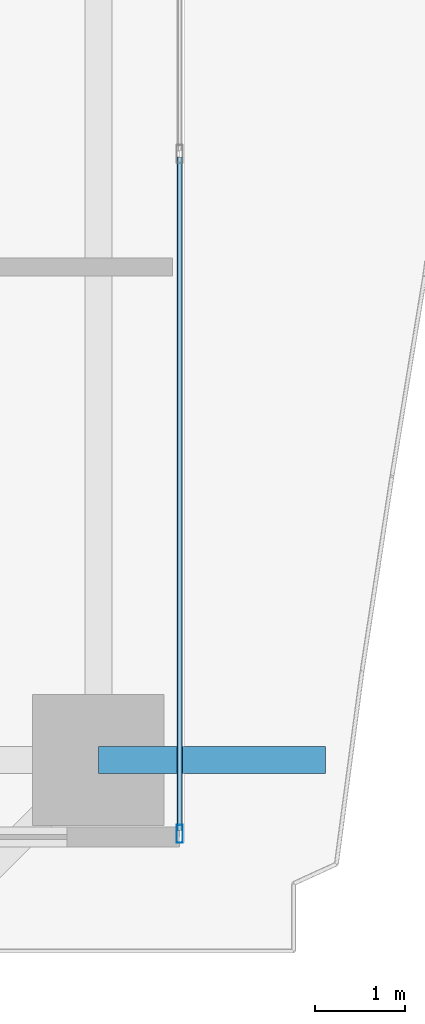
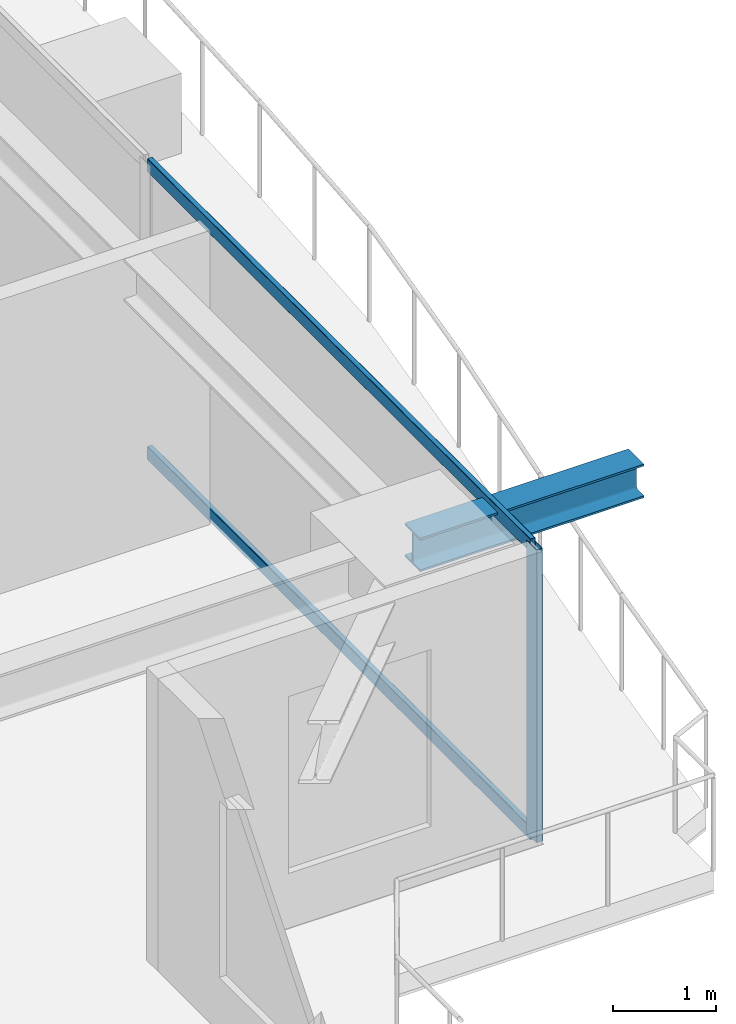
# One storey, part 13 of 39: 3 members, 1 beam, 1 element without a shape of its own.
"""IFC4 building model written with IfcOpenShell, lengths in metres."""

from ifc_helpers import new_model, si_unit, direction, frame, origin, origin_2d, place, context, subcontext, project, spatial, hollow_rectangle, i_section, extrude, source, transform, mapped, material, layer, layer_set, material_profile, profile_set, type_object, element, aggregate, save


model = new_model("IFC4")

# Units and contexts
model_context = context("Model", 3, precision=1e-05, world=origin(), true_north=direction((0.0, 1.0)))
body_context = subcontext(model_context, "Body", "Model", "MODEL_VIEW")
ifc_project = project(units=[si_unit("LENGTHUNIT", "METRE"), si_unit("AREAUNIT", "SQUARE_METRE"), si_unit("VOLUMEUNIT", "CUBIC_METRE"), si_unit("PLANEANGLEUNIT", "RADIAN"), si_unit("MASSUNIT", "GRAM", prefix="KILO")], contexts=[model_context])

# Site, building, storey
site_placement = place(None, origin())
site = spatial("IfcSite", under=ifc_project, at=site_placement, CompositionType="ELEMENT")
building_placement = place(site_placement, origin())
building = spatial("IfcBuilding", under=site, at=building_placement, Name="Serunith Strait Residences", CompositionType="ELEMENT")
storey_placement = place(building_placement, frame((0.0, 0.0, 94.199951171875)))
storey = spatial("IfcBuildingStorey", under=building, at=storey_placement, Name="L23", CompositionType="ELEMENT", Elevation=94.199951171875)

# Beam
ifc_material_1 = material(Name="Steel S355J2", Category="steel")
ifc_material_profile_1 = material_profile(ifc_material_1, i_section(OverallWidth=0.300048828125, OverallDepth=0.39990234375, WebThickness=0.013427734375, FlangeThickness=0.02392578125, FilletRadius=0.027099609375, at=origin_2d()), Name="HEB 400")
ifc_profile_set_1 = profile_set([ifc_material_profile_1], Name="Steel S355J2")
beam_type = type_object("IfcBeamType", Name="BM-HEB400", PredefinedType="BEAM", material=ifc_profile_set_1)
shared_shape_1 = source(origin(), body_context, "Body", "SweptSolid", [
    extrude(i_section(OverallWidth=0.300048828125, OverallDepth=0.39990234375, WebThickness=0.013427734375, FlangeThickness=0.02392578125, FilletRadius=0.027099609375, at=origin_2d()), origin(), (0.0, 0.0, 1.0), 2.51318359375),
])
beam_placement = place(storey_placement, frame((57.89990234375, 9.449951171875, 3.257080078125), z_axis=(1.0, 0.0, 0.0), x_axis=(0.0, 1.0, 0.0)))
element("IfcBeam", 1, at=beam_placement, inside=storey, type_object=beam_type, Name="L24 Cantilevered Balcony Rib TC-E1", PredefinedType="BEAM", context=body_context, shape_type="MappedRepresentation", body=[
    mapped(shared_shape_1, transform((0.0, 0.0, 0.0), scale=1.0)),
])

# Curtain wall, members
ifc_material_2 = material(Name="Pale-Champagne Anodised Aluminium", Category="aluminium")
ifc_layer = layer(ifc_material_2, 0.199951171875, Name="Pale-Champagne Anodised Aluminium")
ifc_layer_set = layer_set([ifc_layer], Name="Pale-Champagne Anodised Aluminium")
curtain_wall_type = type_object("IfcCurtainWallType", Name="CW-SYS1", PredefinedType="NOTDEFINED", material=ifc_layer_set)
curtain_wall_placement = place(storey_placement, origin())
curtain_wall = element("IfcCurtainWall", 2, at=curtain_wall_placement, inside=storey, type_object=curtain_wall_type, Name="L23 E Unitised Fritted Curtain Wall", PredefinedType="NOTDEFINED")
ifc_material_profile_2 = material_profile(ifc_material_2, hollow_rectangle(XDim=0.070068359375, YDim=0.199951171875, WallThickness=0.00390625, InnerFilletRadius=0.006103515625, OuterFilletRadius=0.010009765625, at=origin_2d()), Name="ALU 200x70x4")
ifc_profile_set_2 = profile_set([ifc_material_profile_2], Name="Pale-Champagne Anodised Aluminium")
member_type_1 = type_object("IfcMemberType", Name="CW-SYS1-MULL", PredefinedType="MULLION", material=ifc_profile_set_2)
shared_shape_2 = source(origin(), body_context, "Body", "SweptSolid", [
    extrude(hollow_rectangle(XDim=0.070068359375, YDim=0.199951171875, WallThickness=0.00390625, InnerFilletRadius=0.006103515625, OuterFilletRadius=0.010009765625, at=origin_2d()), origin(), (0.0, 0.0, 1.0), 3.47509765625),
])
member_1_placement = place(storey_placement, frame((58.800048828125, 8.635009765625, 0.0), z_axis=(0.0, 0.0, 1.0), x_axis=(-1.0, 0.0, 0.0)))
member_1 = element("IfcMember", 3, at=member_1_placement, type_object=member_type_1, Name="CW-1 mullion 1", PredefinedType="MULLION", context=body_context, shape_type="MappedRepresentation", body=[
    mapped(shared_shape_2, transform((0.0, 0.0, 0.0), scale=1.0)),
])
ifc_material_profile_3 = material_profile(ifc_material_2, hollow_rectangle(XDim=0.06005859375, YDim=0.159912109375, WallThickness=0.00341796875, InnerFilletRadius=0.00537109375, OuterFilletRadius=0.0087890625, at=origin_2d()), Name="ALU 160x60x3.5")
ifc_profile_set_3 = profile_set([ifc_material_profile_3], Name="Pale-Champagne Anodised Aluminium")
member_type_2 = type_object("IfcMemberType", Name="CW-SYS1-TRAN", PredefinedType="USERDEFINED", material=ifc_profile_set_3)
shared_shape_3 = source(origin(), body_context, "Body", "SweptSolid", [
    extrude(hollow_rectangle(XDim=0.06005859375, YDim=0.159912109375, WallThickness=0.00341796875, InnerFilletRadius=0.00537109375, OuterFilletRadius=0.0087890625, at=origin_2d()), origin(), (0.0, 0.0, 1.0), 7.445068359375),
])
member_2_placement = place(storey_placement, frame((58.800048828125, 8.669921875, 0.030029296875), z_axis=(0.0, 1.0, 0.0), x_axis=(-1.0, 0.0, 0.0)))
member_2 = element("IfcMember", 4, at=member_2_placement, type_object=member_type_2, Name="CW-1 transom 1.1", ObjectType="TRANSOM", PredefinedType="USERDEFINED", context=body_context, shape_type="MappedRepresentation", body=[
    mapped(shared_shape_3, transform((0.0, 0.0, 0.0), scale=1.0)),
])
member_3_placement = place(storey_placement, frame((58.800048828125, 8.669921875, 3.445068359375), z_axis=(0.0, 1.0, 0.0), x_axis=(-1.0, 0.0, 0.0)))
member_3 = element("IfcMember", 5, at=member_3_placement, type_object=member_type_2, Name="CW-1 transom 1.2", ObjectType="TRANSOM", PredefinedType="USERDEFINED", context=body_context, shape_type="MappedRepresentation", body=[
    mapped(shared_shape_3, transform((0.0, 0.0, 0.0), scale=1.0)),
])
aggregate(curtain_wall, [member_1, member_2, member_3])

save(model, "model.ifc")
